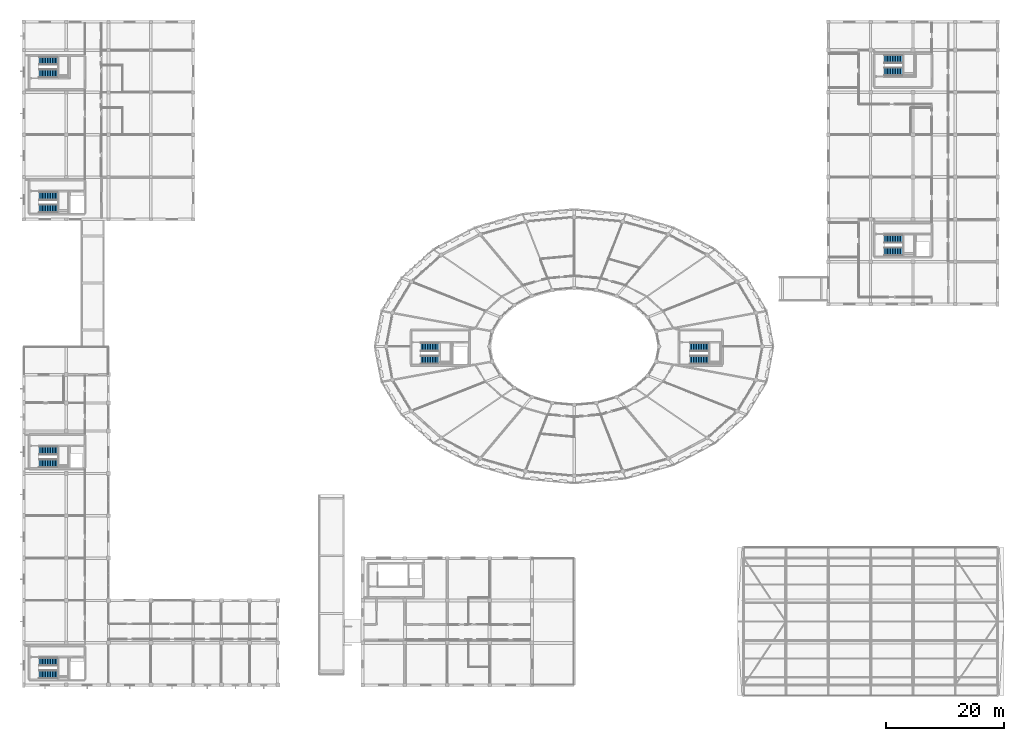
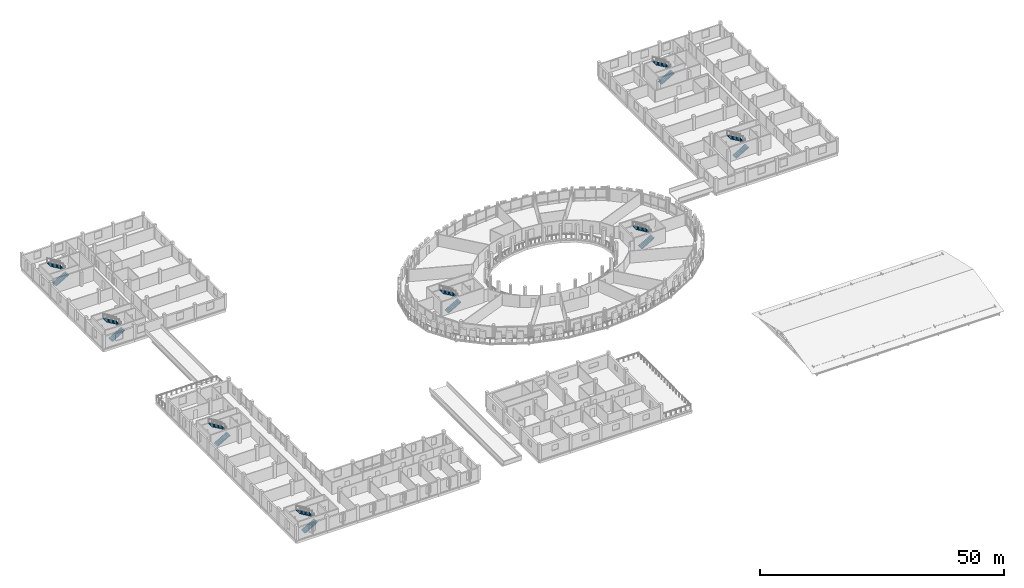
# One storey, part 85 of 93: 16 stair flights, 8 elements without a shape of their own.
"""IFC4 building model written with IfcOpenShell, lengths in metres."""

from ifc_helpers import new_model, si_unit, direction, frame, origin, place, context, subcontext, project, spatial, polyline, outline, extrude, material, type_object, element, aggregate, save


model = new_model("IFC4")

# Units and contexts
model_context = context("Model", 3, precision=1e-05, world=origin(), true_north=direction((0.0, 1.0)))
body_context = subcontext(model_context, "Body", "Model", "MODEL_VIEW")
ifc_project = project(units=[si_unit("LENGTHUNIT", "METRE"), si_unit("AREAUNIT", "SQUARE_METRE"), si_unit("VOLUMEUNIT", "CUBIC_METRE"), si_unit("PLANEANGLEUNIT", "RADIAN"), si_unit("MASSUNIT", "GRAM", prefix="KILO")], contexts=[model_context])

# Site, building, storey
site_placement = place(None, origin())
site = spatial("IfcSite", under=ifc_project, at=site_placement, CompositionType="ELEMENT")
building_placement = place(site_placement, origin())
building = spatial("IfcBuilding", under=site, at=building_placement, Name="Zornivar Specialist Clinic", CompositionType="ELEMENT")
storey_placement = place(building_placement, frame((0.0, 0.0, 8.39990234375)))
storey = spatial("IfcBuildingStorey", under=building, at=storey_placement, Name="L02", CompositionType="ELEMENT", Elevation=8.39990234375)

# Stair, stair flights
ifc_material_1 = material(Name="Concrete C30/37", Category="concrete")
stair_type_1 = type_object("IfcStairType", Name="STR-CORE-TYP-3900", PredefinedType="HALF_TURN_STAIR", material=ifc_material_1)
stair_1_placement = place(storey_placement, origin())
stair_1 = element("IfcStair", 1, at=stair_1_placement, inside=storey, type_object=stair_type_1, Name="stair:C1:L02", PredefinedType="HALF_TURN_STAIR")
ifc_material_2 = material(Name="Concrete C30/37", Category="concrete")
stair_flight_type_1 = type_object("IfcStairFlightType", Name="STR-CORE-TYP-3900-FLT", PredefinedType="STRAIGHT", material=ifc_material_2)
stair_flight_1_placement = place(storey_placement, frame((2.60009765625, 1.820068359375, 0.0), z_axis=(0.0, 0.0, 1.0), x_axis=(1.0, 0.0, 0.0)))
stair_flight_1 = element("IfcStairFlight", 2, at=stair_flight_1_placement, type_object=stair_flight_type_1, Name="stair:C1:L02:f1", NumberOfRisers=12, NumberOfTreads=11, PredefinedType="STRAIGHT", RiserHeight=0.1625, TreadLength=0.28, context=body_context, shape_type="SweptSolid", body=[
    extrude(outline(polyline([(0.0, 0.0), (0.0, 0.16259765625), (0.280029296875, 0.16259765625), (0.280029296875, 0.324951171875), (0.56005859375, 0.324951171875), (0.56005859375, 0.487548828125), (0.840087890625, 0.487548828125), (0.840087890625, 0.64990234375), (1.1201171875, 0.64990234375), (1.1201171875, 0.8125), (1.39990234375, 0.8125), (1.39990234375, 0.97509765625), (1.679931640625, 0.97509765625), (1.679931640625, 1.137451171875), (1.9599609375, 1.137451171875), (1.9599609375, 1.300048828125), (2.239990234375, 1.300048828125), (2.239990234375, 1.46240234375), (2.52001953125, 1.46240234375), (2.52001953125, 1.625), (2.800048828125, 1.625), (2.800048828125, 1.78759765625), (3.080078125, 1.78759765625), (3.080078125, 1.949951171875), (3.080078125, 1.6025390625), (0.318603515625, 0.0), (0.0, 0.0)])), frame((0.0, 0.699951171875, 0.0), z_axis=(0.0, -1.0, 0.0), x_axis=(1.0, 0.0, 0.0)), (0.0, 0.0, 1.0), 1.39990234375),
])
stair_flight_2_placement = place(storey_placement, frame((5.679931640625, 3.97998046875, 1.9501953125), z_axis=(0.0, 0.0, 1.0), x_axis=(-1.0, 0.0, 0.0)))
stair_flight_2 = element("IfcStairFlight", 3, at=stair_flight_2_placement, type_object=stair_flight_type_1, Name="stair:C1:L02:f2", NumberOfRisers=12, NumberOfTreads=11, PredefinedType="STRAIGHT", RiserHeight=0.1625, TreadLength=0.28, context=body_context, shape_type="SweptSolid", body=[
    extrude(outline(polyline([(0.0, 0.0), (0.0, 0.16259765625), (0.280029296875, 0.16259765625), (0.280029296875, 0.324951171875), (0.56005859375, 0.324951171875), (0.56005859375, 0.487548828125), (0.840087890625, 0.487548828125), (0.840087890625, 0.64990234375), (1.1201171875, 0.64990234375), (1.1201171875, 0.8125), (1.39990234375, 0.8125), (1.39990234375, 0.97509765625), (1.679931640625, 0.97509765625), (1.679931640625, 1.137451171875), (1.9599609375, 1.137451171875), (1.9599609375, 1.300048828125), (2.239990234375, 1.300048828125), (2.239990234375, 1.46240234375), (2.52001953125, 1.46240234375), (2.52001953125, 1.625), (2.800048828125, 1.625), (2.800048828125, 1.78759765625), (3.080078125, 1.78759765625), (3.080078125, 1.949951171875), (3.080078125, 1.6025390625), (0.318603515625, 0.0), (0.0, 0.0)])), frame((0.0, 0.699951171875, 0.0), z_axis=(0.0, -1.0, 0.0), x_axis=(1.0, 0.0, 0.0)), (0.0, 0.0, 1.0), 1.39990234375),
])
aggregate(stair_1, [stair_flight_1, stair_flight_2])

stair_2_placement = place(storey_placement, origin())
stair_2 = element("IfcStair", 4, at=stair_2_placement, inside=storey, type_object=stair_type_1, Name="stair:C2:L02", PredefinedType="HALF_TURN_STAIR")
stair_flight_3_placement = place(storey_placement, frame((2.60009765625, 37.719970703125, 0.0), z_axis=(0.0, 0.0, 1.0), x_axis=(1.0, 0.0, 0.0)))
stair_flight_3 = element("IfcStairFlight", 5, at=stair_flight_3_placement, type_object=stair_flight_type_1, Name="stair:C2:L02:f1", NumberOfRisers=12, NumberOfTreads=11, PredefinedType="STRAIGHT", RiserHeight=0.1625, TreadLength=0.28, context=body_context, shape_type="SweptSolid", body=[
    extrude(outline(polyline([(0.0, 0.0), (0.0, 0.16259765625), (0.280029296875, 0.16259765625), (0.280029296875, 0.324951171875), (0.56005859375, 0.324951171875), (0.56005859375, 0.487548828125), (0.840087890625, 0.487548828125), (0.840087890625, 0.64990234375), (1.1201171875, 0.64990234375), (1.1201171875, 0.8125), (1.39990234375, 0.8125), (1.39990234375, 0.97509765625), (1.679931640625, 0.97509765625), (1.679931640625, 1.137451171875), (1.9599609375, 1.137451171875), (1.9599609375, 1.300048828125), (2.239990234375, 1.300048828125), (2.239990234375, 1.46240234375), (2.52001953125, 1.46240234375), (2.52001953125, 1.625), (2.800048828125, 1.625), (2.800048828125, 1.78759765625), (3.080078125, 1.78759765625), (3.080078125, 1.949951171875), (3.080078125, 1.6025390625), (0.318603515625, 0.0), (0.0, 0.0)])), frame((0.0, 0.699951171875, 0.0), z_axis=(0.0, -1.0, 0.0), x_axis=(1.0, 0.0, 0.0)), (0.0, 0.0, 1.0), 1.39990234375),
])
stair_flight_4_placement = place(storey_placement, frame((5.679931640625, 39.8798828125, 1.9501953125), z_axis=(0.0, 0.0, 1.0), x_axis=(-1.0, 0.0, 0.0)))
stair_flight_4 = element("IfcStairFlight", 6, at=stair_flight_4_placement, type_object=stair_flight_type_1, Name="stair:C2:L02:f2", NumberOfRisers=12, NumberOfTreads=11, PredefinedType="STRAIGHT", RiserHeight=0.1625, TreadLength=0.28, context=body_context, shape_type="SweptSolid", body=[
    extrude(outline(polyline([(0.0, 0.0), (0.0, 0.16259765625), (0.280029296875, 0.16259765625), (0.280029296875, 0.324951171875), (0.56005859375, 0.324951171875), (0.56005859375, 0.487548828125), (0.840087890625, 0.487548828125), (0.840087890625, 0.64990234375), (1.1201171875, 0.64990234375), (1.1201171875, 0.8125), (1.39990234375, 0.8125), (1.39990234375, 0.97509765625), (1.679931640625, 0.97509765625), (1.679931640625, 1.137451171875), (1.9599609375, 1.137451171875), (1.9599609375, 1.300048828125), (2.239990234375, 1.300048828125), (2.239990234375, 1.46240234375), (2.52001953125, 1.46240234375), (2.52001953125, 1.625), (2.800048828125, 1.625), (2.800048828125, 1.78759765625), (3.080078125, 1.78759765625), (3.080078125, 1.949951171875), (3.080078125, 1.6025390625), (0.318603515625, 0.0), (0.0, 0.0)])), frame((0.0, 0.699951171875, 0.0), z_axis=(0.0, -1.0, 0.0), x_axis=(1.0, 0.0, 0.0)), (0.0, 0.0, 1.0), 1.39990234375),
])
aggregate(stair_2, [stair_flight_3, stair_flight_4])

stair_3_placement = place(storey_placement, origin())
stair_3 = element("IfcStair", 7, at=stair_3_placement, inside=storey, type_object=stair_type_1, Name="stair:C7:L02", PredefinedType="HALF_TURN_STAIR")
stair_flight_5_placement = place(storey_placement, frame((2.60009765625, 81.02001953125, 0.0), z_axis=(0.0, 0.0, 1.0), x_axis=(1.0, 0.0, 0.0)))
stair_flight_5 = element("IfcStairFlight", 8, at=stair_flight_5_placement, type_object=stair_flight_type_1, Name="stair:C7:L02:f1", NumberOfRisers=12, NumberOfTreads=11, PredefinedType="STRAIGHT", RiserHeight=0.1625, TreadLength=0.28, context=body_context, shape_type="SweptSolid", body=[
    extrude(outline(polyline([(0.0, 0.0), (0.0, 0.16259765625), (0.280029296875, 0.16259765625), (0.280029296875, 0.324951171875), (0.56005859375, 0.324951171875), (0.56005859375, 0.487548828125), (0.840087890625, 0.487548828125), (0.840087890625, 0.64990234375), (1.1201171875, 0.64990234375), (1.1201171875, 0.8125), (1.39990234375, 0.8125), (1.39990234375, 0.97509765625), (1.679931640625, 0.97509765625), (1.679931640625, 1.137451171875), (1.9599609375, 1.137451171875), (1.9599609375, 1.300048828125), (2.239990234375, 1.300048828125), (2.239990234375, 1.46240234375), (2.52001953125, 1.46240234375), (2.52001953125, 1.625), (2.800048828125, 1.625), (2.800048828125, 1.78759765625), (3.080078125, 1.78759765625), (3.080078125, 1.949951171875), (3.080078125, 1.6025390625), (0.318603515625, 0.0), (0.0, 0.0)])), frame((0.0, 0.699951171875, 0.0), z_axis=(0.0, -1.0, 0.0), x_axis=(1.0, 0.0, 0.0)), (0.0, 0.0, 1.0), 1.39990234375),
])
stair_flight_6_placement = place(storey_placement, frame((5.679931640625, 83.179931640625, 1.9501953125), z_axis=(0.0, 0.0, 1.0), x_axis=(-1.0, 0.0, 0.0)))
stair_flight_6 = element("IfcStairFlight", 9, at=stair_flight_6_placement, type_object=stair_flight_type_1, Name="stair:C7:L02:f2", NumberOfRisers=12, NumberOfTreads=11, PredefinedType="STRAIGHT", RiserHeight=0.1625, TreadLength=0.28, context=body_context, shape_type="SweptSolid", body=[
    extrude(outline(polyline([(0.0, 0.0), (0.0, 0.16259765625), (0.280029296875, 0.16259765625), (0.280029296875, 0.324951171875), (0.56005859375, 0.324951171875), (0.56005859375, 0.487548828125), (0.840087890625, 0.487548828125), (0.840087890625, 0.64990234375), (1.1201171875, 0.64990234375), (1.1201171875, 0.8125), (1.39990234375, 0.8125), (1.39990234375, 0.97509765625), (1.679931640625, 0.97509765625), (1.679931640625, 1.137451171875), (1.9599609375, 1.137451171875), (1.9599609375, 1.300048828125), (2.239990234375, 1.300048828125), (2.239990234375, 1.46240234375), (2.52001953125, 1.46240234375), (2.52001953125, 1.625), (2.800048828125, 1.625), (2.800048828125, 1.78759765625), (3.080078125, 1.78759765625), (3.080078125, 1.949951171875), (3.080078125, 1.6025390625), (0.318603515625, 0.0), (0.0, 0.0)])), frame((0.0, 0.699951171875, 0.0), z_axis=(0.0, -1.0, 0.0), x_axis=(1.0, 0.0, 0.0)), (0.0, 0.0, 1.0), 1.39990234375),
])
aggregate(stair_3, [stair_flight_5, stair_flight_6])

stair_4_placement = place(storey_placement, origin())
stair_4 = element("IfcStair", 10, at=stair_4_placement, inside=storey, type_object=stair_type_1, Name="stair:C8:L02", PredefinedType="HALF_TURN_STAIR")
stair_flight_7_placement = place(storey_placement, frame((2.60009765625, 104.02001953125, 0.0), z_axis=(0.0, 0.0, 1.0), x_axis=(1.0, 0.0, 0.0)))
stair_flight_7 = element("IfcStairFlight", 11, at=stair_flight_7_placement, type_object=stair_flight_type_1, Name="stair:C8:L02:f1", NumberOfRisers=12, NumberOfTreads=11, PredefinedType="STRAIGHT", RiserHeight=0.1625, TreadLength=0.28, context=body_context, shape_type="SweptSolid", body=[
    extrude(outline(polyline([(0.0, 0.0), (0.0, 0.16259765625), (0.280029296875, 0.16259765625), (0.280029296875, 0.324951171875), (0.56005859375, 0.324951171875), (0.56005859375, 0.487548828125), (0.840087890625, 0.487548828125), (0.840087890625, 0.64990234375), (1.1201171875, 0.64990234375), (1.1201171875, 0.8125), (1.39990234375, 0.8125), (1.39990234375, 0.97509765625), (1.679931640625, 0.97509765625), (1.679931640625, 1.137451171875), (1.9599609375, 1.137451171875), (1.9599609375, 1.300048828125), (2.239990234375, 1.300048828125), (2.239990234375, 1.46240234375), (2.52001953125, 1.46240234375), (2.52001953125, 1.625), (2.800048828125, 1.625), (2.800048828125, 1.78759765625), (3.080078125, 1.78759765625), (3.080078125, 1.949951171875), (3.080078125, 1.6025390625), (0.318603515625, 0.0), (0.0, 0.0)])), frame((0.0, 0.699951171875, 0.0), z_axis=(0.0, -1.0, 0.0), x_axis=(1.0, 0.0, 0.0)), (0.0, 0.0, 1.0), 1.39990234375),
])
stair_flight_8_placement = place(storey_placement, frame((5.679931640625, 106.179931640625, 1.9501953125), z_axis=(0.0, 0.0, 1.0), x_axis=(-1.0, 0.0, 0.0)))
stair_flight_8 = element("IfcStairFlight", 12, at=stair_flight_8_placement, type_object=stair_flight_type_1, Name="stair:C8:L02:f2", NumberOfRisers=12, NumberOfTreads=11, PredefinedType="STRAIGHT", RiserHeight=0.1625, TreadLength=0.28, context=body_context, shape_type="SweptSolid", body=[
    extrude(outline(polyline([(0.0, 0.0), (0.0, 0.16259765625), (0.280029296875, 0.16259765625), (0.280029296875, 0.324951171875), (0.56005859375, 0.324951171875), (0.56005859375, 0.487548828125), (0.840087890625, 0.487548828125), (0.840087890625, 0.64990234375), (1.1201171875, 0.64990234375), (1.1201171875, 0.8125), (1.39990234375, 0.8125), (1.39990234375, 0.97509765625), (1.679931640625, 0.97509765625), (1.679931640625, 1.137451171875), (1.9599609375, 1.137451171875), (1.9599609375, 1.300048828125), (2.239990234375, 1.300048828125), (2.239990234375, 1.46240234375), (2.52001953125, 1.46240234375), (2.52001953125, 1.625), (2.800048828125, 1.625), (2.800048828125, 1.78759765625), (3.080078125, 1.78759765625), (3.080078125, 1.949951171875), (3.080078125, 1.6025390625), (0.318603515625, 0.0), (0.0, 0.0)])), frame((0.0, 0.699951171875, 0.0), z_axis=(0.0, -1.0, 0.0), x_axis=(1.0, 0.0, 0.0)), (0.0, 0.0, 1.0), 1.39990234375),
])
aggregate(stair_4, [stair_flight_7, stair_flight_8])

stair_5_placement = place(storey_placement, origin())
stair_5 = element("IfcStair", 13, at=stair_5_placement, inside=storey, type_object=stair_type_1, Name="stair:C9:L02", PredefinedType="HALF_TURN_STAIR")
stair_flight_9_placement = place(storey_placement, frame((146.300048828125, 73.719970703125, 0.0), z_axis=(0.0, 0.0, 1.0), x_axis=(1.0, 0.0, 0.0)))
stair_flight_9 = element("IfcStairFlight", 14, at=stair_flight_9_placement, type_object=stair_flight_type_1, Name="stair:C9:L02:f1", NumberOfRisers=12, NumberOfTreads=11, PredefinedType="STRAIGHT", RiserHeight=0.1625, TreadLength=0.28, context=body_context, shape_type="SweptSolid", body=[
    extrude(outline(polyline([(0.0, 0.0), (0.0, 0.16259765625), (0.280029296875, 0.16259765625), (0.280029296875, 0.324951171875), (0.56005859375, 0.324951171875), (0.56005859375, 0.487548828125), (0.840087890625, 0.487548828125), (0.840087890625, 0.64990234375), (1.1201171875, 0.64990234375), (1.1201171875, 0.8125), (1.39990234375, 0.8125), (1.39990234375, 0.97509765625), (1.679931640625, 0.97509765625), (1.679931640625, 1.137451171875), (1.9599609375, 1.137451171875), (1.9599609375, 1.300048828125), (2.239990234375, 1.300048828125), (2.239990234375, 1.46240234375), (2.52001953125, 1.46240234375), (2.52001953125, 1.625), (2.800048828125, 1.625), (2.800048828125, 1.78759765625), (3.080078125, 1.78759765625), (3.080078125, 1.949951171875), (3.080078125, 1.6025390625), (0.318603515625, 0.0), (0.0, 0.0)])), frame((0.0, 0.699951171875, 0.0), z_axis=(0.0, -1.0, 0.0), x_axis=(1.0, 0.0, 0.0)), (0.0, 0.0, 1.0), 1.39990234375),
])
stair_flight_10_placement = place(storey_placement, frame((149.3798828125, 75.8798828125, 1.9501953125), z_axis=(0.0, 0.0, 1.0), x_axis=(-1.0, 0.0, 0.0)))
stair_flight_10 = element("IfcStairFlight", 15, at=stair_flight_10_placement, type_object=stair_flight_type_1, Name="stair:C9:L02:f2", NumberOfRisers=12, NumberOfTreads=11, PredefinedType="STRAIGHT", RiserHeight=0.1625, TreadLength=0.28, context=body_context, shape_type="SweptSolid", body=[
    extrude(outline(polyline([(0.0, 0.0), (0.0, 0.16259765625), (0.280029296875, 0.16259765625), (0.280029296875, 0.324951171875), (0.56005859375, 0.324951171875), (0.56005859375, 0.487548828125), (0.840087890625, 0.487548828125), (0.840087890625, 0.64990234375), (1.1201171875, 0.64990234375), (1.1201171875, 0.8125), (1.39990234375, 0.8125), (1.39990234375, 0.97509765625), (1.679931640625, 0.97509765625), (1.679931640625, 1.137451171875), (1.9599609375, 1.137451171875), (1.9599609375, 1.300048828125), (2.239990234375, 1.300048828125), (2.239990234375, 1.46240234375), (2.52001953125, 1.46240234375), (2.52001953125, 1.625), (2.800048828125, 1.625), (2.800048828125, 1.78759765625), (3.080078125, 1.78759765625), (3.080078125, 1.949951171875), (3.080078125, 1.6025390625), (0.318603515625, 0.0), (0.0, 0.0)])), frame((0.0, 0.699951171875, 0.0), z_axis=(0.0, -1.0, 0.0), x_axis=(1.0, 0.0, 0.0)), (0.0, 0.0, 1.0), 1.39990234375),
])
aggregate(stair_5, [stair_flight_9, stair_flight_10])

stair_6_placement = place(storey_placement, origin())
stair_6 = element("IfcStair", 16, at=stair_6_placement, inside=storey, type_object=stair_type_1, Name="stair:C10:L02", PredefinedType="HALF_TURN_STAIR")
stair_flight_11_placement = place(storey_placement, frame((146.300048828125, 104.320068359375, 0.0), z_axis=(0.0, 0.0, 1.0), x_axis=(1.0, 0.0, 0.0)))
stair_flight_11 = element("IfcStairFlight", 17, at=stair_flight_11_placement, type_object=stair_flight_type_1, Name="stair:C10:L02:f1", NumberOfRisers=12, NumberOfTreads=11, PredefinedType="STRAIGHT", RiserHeight=0.1625, TreadLength=0.28, context=body_context, shape_type="SweptSolid", body=[
    extrude(outline(polyline([(0.0, 0.0), (0.0, 0.16259765625), (0.280029296875, 0.16259765625), (0.280029296875, 0.324951171875), (0.56005859375, 0.324951171875), (0.56005859375, 0.487548828125), (0.840087890625, 0.487548828125), (0.840087890625, 0.64990234375), (1.1201171875, 0.64990234375), (1.1201171875, 0.8125), (1.39990234375, 0.8125), (1.39990234375, 0.97509765625), (1.679931640625, 0.97509765625), (1.679931640625, 1.137451171875), (1.9599609375, 1.137451171875), (1.9599609375, 1.300048828125), (2.239990234375, 1.300048828125), (2.239990234375, 1.46240234375), (2.52001953125, 1.46240234375), (2.52001953125, 1.625), (2.800048828125, 1.625), (2.800048828125, 1.78759765625), (3.080078125, 1.78759765625), (3.080078125, 1.949951171875), (3.080078125, 1.6025390625), (0.318603515625, 0.0), (0.0, 0.0)])), frame((0.0, 0.699951171875, 0.0), z_axis=(0.0, -1.0, 0.0), x_axis=(1.0, 0.0, 0.0)), (0.0, 0.0, 1.0), 1.39990234375),
])
stair_flight_12_placement = place(storey_placement, frame((149.3798828125, 106.47998046875, 1.9501953125), z_axis=(0.0, 0.0, 1.0), x_axis=(-1.0, 0.0, 0.0)))
stair_flight_12 = element("IfcStairFlight", 18, at=stair_flight_12_placement, type_object=stair_flight_type_1, Name="stair:C10:L02:f2", NumberOfRisers=12, NumberOfTreads=11, PredefinedType="STRAIGHT", RiserHeight=0.1625, TreadLength=0.28, context=body_context, shape_type="SweptSolid", body=[
    extrude(outline(polyline([(0.0, 0.0), (0.0, 0.16259765625), (0.280029296875, 0.16259765625), (0.280029296875, 0.324951171875), (0.56005859375, 0.324951171875), (0.56005859375, 0.487548828125), (0.840087890625, 0.487548828125), (0.840087890625, 0.64990234375), (1.1201171875, 0.64990234375), (1.1201171875, 0.8125), (1.39990234375, 0.8125), (1.39990234375, 0.97509765625), (1.679931640625, 0.97509765625), (1.679931640625, 1.137451171875), (1.9599609375, 1.137451171875), (1.9599609375, 1.300048828125), (2.239990234375, 1.300048828125), (2.239990234375, 1.46240234375), (2.52001953125, 1.46240234375), (2.52001953125, 1.625), (2.800048828125, 1.625), (2.800048828125, 1.78759765625), (3.080078125, 1.78759765625), (3.080078125, 1.949951171875), (3.080078125, 1.6025390625), (0.318603515625, 0.0), (0.0, 0.0)])), frame((0.0, 0.699951171875, 0.0), z_axis=(0.0, -1.0, 0.0), x_axis=(1.0, 0.0, 0.0)), (0.0, 0.0, 1.0), 1.39990234375),
])
aggregate(stair_6, [stair_flight_11, stair_flight_12])

ifc_material_3 = material(Name="Concrete C30/37", Category="concrete")
stair_type_2 = type_object("IfcStairType", Name="STR-CORE-V1-3700", PredefinedType="HALF_TURN_STAIR", material=ifc_material_3)
stair_7_placement = place(storey_placement, origin())
stair_7 = element("IfcStair", 19, at=stair_7_placement, inside=storey, type_object=stair_type_2, Name="stair:C3:L02", PredefinedType="HALF_TURN_STAIR")
ifc_material_4 = material(Name="Concrete C30/37", Category="concrete")
stair_flight_type_2 = type_object("IfcStairFlightType", Name="STR-CORE-V1-3700-FLT", PredefinedType="STRAIGHT", material=ifc_material_4)
stair_flight_13_placement = place(storey_placement, frame((67.5, 55.320068359375, 0.0), z_axis=(0.0, 0.0, 1.0), x_axis=(1.0, 0.0, 0.0)))
stair_flight_13 = element("IfcStairFlight", 20, at=stair_flight_13_placement, type_object=stair_flight_type_2, Name="stair:C3:L02:f1", NumberOfRisers=12, NumberOfTreads=11, PredefinedType="STRAIGHT", RiserHeight=0.1625, TreadLength=0.28, context=body_context, shape_type="SweptSolid", body=[
    extrude(outline(polyline([(0.0, 0.0), (0.0, 0.16259765625), (0.280029296875, 0.16259765625), (0.280029296875, 0.324951171875), (0.56005859375, 0.324951171875), (0.56005859375, 0.487548828125), (0.840087890625, 0.487548828125), (0.840087890625, 0.64990234375), (1.1201171875, 0.64990234375), (1.1201171875, 0.8125), (1.39990234375, 0.8125), (1.39990234375, 0.97509765625), (1.679931640625, 0.97509765625), (1.679931640625, 1.137451171875), (1.9599609375, 1.137451171875), (1.9599609375, 1.300048828125), (2.239990234375, 1.300048828125), (2.239990234375, 1.46240234375), (2.52001953125, 1.46240234375), (2.52001953125, 1.625), (2.800048828125, 1.625), (2.800048828125, 1.78759765625), (3.080078125, 1.78759765625), (3.080078125, 1.949951171875), (3.080078125, 1.6025390625), (0.318603515625, 0.0), (0.0, 0.0)])), frame((0.0, 0.699951171875, 0.0), z_axis=(0.0, -1.0, 0.0), x_axis=(1.0, 0.0, 0.0)), (0.0, 0.0, 1.0), 1.39990234375),
])
stair_flight_14_placement = place(storey_placement, frame((70.580078125, 57.47998046875, 1.9501953125), z_axis=(0.0, 0.0, 1.0), x_axis=(-1.0, 0.0, 0.0)))
stair_flight_14 = element("IfcStairFlight", 21, at=stair_flight_14_placement, type_object=stair_flight_type_2, Name="stair:C3:L02:f2", NumberOfRisers=12, NumberOfTreads=11, PredefinedType="STRAIGHT", RiserHeight=0.1625, TreadLength=0.28, context=body_context, shape_type="SweptSolid", body=[
    extrude(outline(polyline([(0.0, 0.0), (0.0, 0.16259765625), (0.280029296875, 0.16259765625), (0.280029296875, 0.324951171875), (0.56005859375, 0.324951171875), (0.56005859375, 0.487548828125), (0.840087890625, 0.487548828125), (0.840087890625, 0.64990234375), (1.1201171875, 0.64990234375), (1.1201171875, 0.8125), (1.39990234375, 0.8125), (1.39990234375, 0.97509765625), (1.679931640625, 0.97509765625), (1.679931640625, 1.137451171875), (1.9599609375, 1.137451171875), (1.9599609375, 1.300048828125), (2.239990234375, 1.300048828125), (2.239990234375, 1.46240234375), (2.52001953125, 1.46240234375), (2.52001953125, 1.625), (2.800048828125, 1.625), (2.800048828125, 1.78759765625), (3.080078125, 1.78759765625), (3.080078125, 1.949951171875), (3.080078125, 1.6025390625), (0.318603515625, 0.0), (0.0, 0.0)])), frame((0.0, 0.699951171875, 0.0), z_axis=(0.0, -1.0, 0.0), x_axis=(1.0, 0.0, 0.0)), (0.0, 0.0, 1.0), 1.39990234375),
])
aggregate(stair_7, [stair_flight_13, stair_flight_14])

stair_8_placement = place(storey_placement, origin())
stair_8 = element("IfcStair", 22, at=stair_8_placement, inside=storey, type_object=stair_type_2, Name="stair:C4:L02", PredefinedType="HALF_TURN_STAIR")
stair_flight_15_placement = place(storey_placement, frame((113.300048828125, 55.320068359375, 0.0), z_axis=(0.0, 0.0, 1.0), x_axis=(1.0, 0.0, 0.0)))
stair_flight_15 = element("IfcStairFlight", 23, at=stair_flight_15_placement, type_object=stair_flight_type_2, Name="stair:C4:L02:f1", NumberOfRisers=12, NumberOfTreads=11, PredefinedType="STRAIGHT", RiserHeight=0.1625, TreadLength=0.28, context=body_context, shape_type="SweptSolid", body=[
    extrude(outline(polyline([(0.0, 0.0), (0.0, 0.16259765625), (0.280029296875, 0.16259765625), (0.280029296875, 0.324951171875), (0.56005859375, 0.324951171875), (0.56005859375, 0.487548828125), (0.840087890625, 0.487548828125), (0.840087890625, 0.64990234375), (1.1201171875, 0.64990234375), (1.1201171875, 0.8125), (1.39990234375, 0.8125), (1.39990234375, 0.97509765625), (1.679931640625, 0.97509765625), (1.679931640625, 1.137451171875), (1.9599609375, 1.137451171875), (1.9599609375, 1.300048828125), (2.239990234375, 1.300048828125), (2.239990234375, 1.46240234375), (2.52001953125, 1.46240234375), (2.52001953125, 1.625), (2.800048828125, 1.625), (2.800048828125, 1.78759765625), (3.080078125, 1.78759765625), (3.080078125, 1.949951171875), (3.080078125, 1.6025390625), (0.318603515625, 0.0), (0.0, 0.0)])), frame((0.0, 0.699951171875, 0.0), z_axis=(0.0, -1.0, 0.0), x_axis=(1.0, 0.0, 0.0)), (0.0, 0.0, 1.0), 1.39990234375),
])
stair_flight_16_placement = place(storey_placement, frame((116.3798828125, 57.47998046875, 1.9501953125), z_axis=(0.0, 0.0, 1.0), x_axis=(-1.0, 0.0, 0.0)))
stair_flight_16 = element("IfcStairFlight", 24, at=stair_flight_16_placement, type_object=stair_flight_type_2, Name="stair:C4:L02:f2", NumberOfRisers=12, NumberOfTreads=11, PredefinedType="STRAIGHT", RiserHeight=0.1625, TreadLength=0.28, context=body_context, shape_type="SweptSolid", body=[
    extrude(outline(polyline([(0.0, 0.0), (0.0, 0.16259765625), (0.280029296875, 0.16259765625), (0.280029296875, 0.324951171875), (0.56005859375, 0.324951171875), (0.56005859375, 0.487548828125), (0.840087890625, 0.487548828125), (0.840087890625, 0.64990234375), (1.1201171875, 0.64990234375), (1.1201171875, 0.8125), (1.39990234375, 0.8125), (1.39990234375, 0.97509765625), (1.679931640625, 0.97509765625), (1.679931640625, 1.137451171875), (1.9599609375, 1.137451171875), (1.9599609375, 1.300048828125), (2.239990234375, 1.300048828125), (2.239990234375, 1.46240234375), (2.52001953125, 1.46240234375), (2.52001953125, 1.625), (2.800048828125, 1.625), (2.800048828125, 1.78759765625), (3.080078125, 1.78759765625), (3.080078125, 1.949951171875), (3.080078125, 1.6025390625), (0.318603515625, 0.0), (0.0, 0.0)])), frame((0.0, 0.699951171875, 0.0), z_axis=(0.0, -1.0, 0.0), x_axis=(1.0, 0.0, 0.0)), (0.0, 0.0, 1.0), 1.39990234375),
])
aggregate(stair_8, [stair_flight_15, stair_flight_16])

save(model, "model.ifc")
